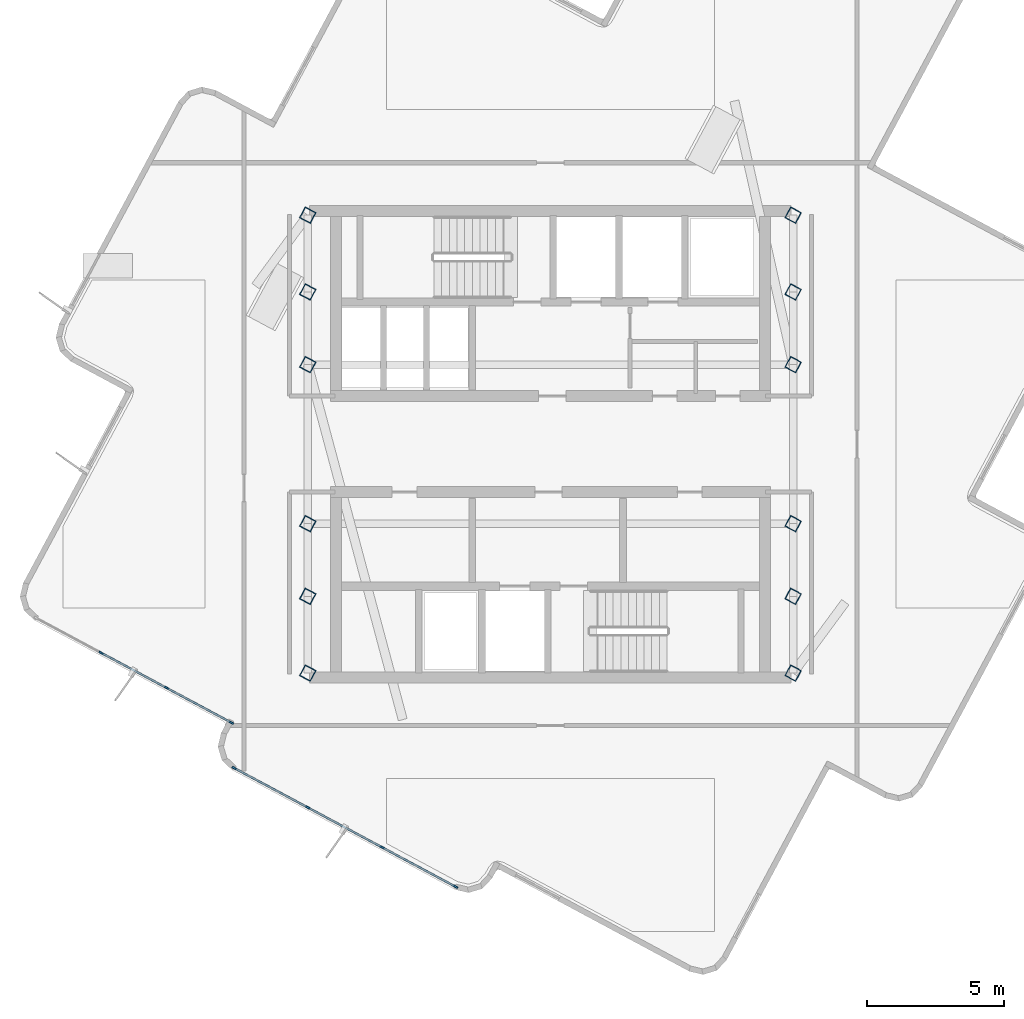
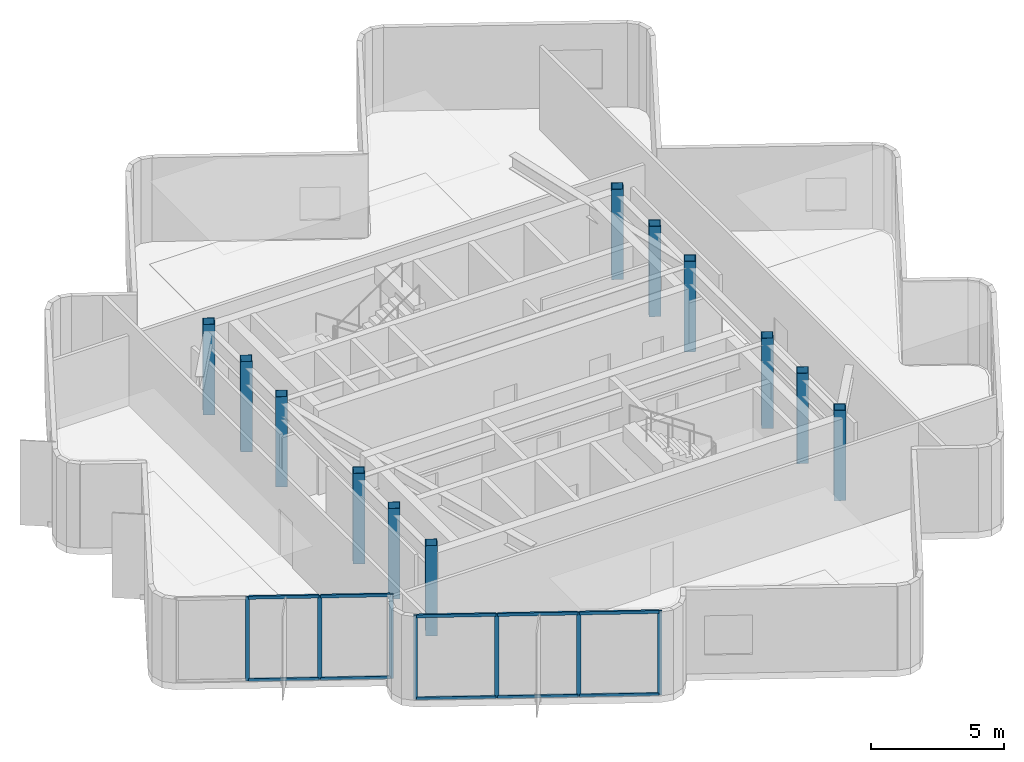
# One storey, part 1 of 9: 17 members, 12 columns, 2 elements without a shape of their own.
"""IFC4 building model written with IfcOpenShell, lengths in metres."""

from ifc_helpers import new_model, si_unit, direction, frame, origin, origin_2d, place, context, subcontext, project, spatial, rectangle, hollow_rectangle, extrude, material, layer, layer_set, material_profile, profile_set, type_object, element, aggregate, save


model = new_model("IFC4")

# Units and contexts
model_context = context("Model", 3, precision=1e-05, world=origin(), true_north=direction((0.0, 1.0)))
body_context = subcontext(model_context, "Body", "Model", "MODEL_VIEW")
ifc_project = project(units=[si_unit("LENGTHUNIT", "METRE"), si_unit("AREAUNIT", "SQUARE_METRE"), si_unit("VOLUMEUNIT", "CUBIC_METRE"), si_unit("PLANEANGLEUNIT", "RADIAN"), si_unit("MASSUNIT", "GRAM", prefix="KILO")], contexts=[model_context])

# Site, building, storey
site_placement = place(None, origin())
site = spatial("IfcSite", under=ifc_project, at=site_placement, CompositionType="ELEMENT")
building_placement = place(site_placement, origin())
building = spatial("IfcBuilding", under=site, at=building_placement, Name="Solmarez Civic Tower", CompositionType="ELEMENT")
storey_placement = place(building_placement, frame((0.0, 0.0, 285.1201171875)))
storey = spatial("IfcBuildingStorey", under=building, at=storey_placement, Name="L77 Crown", CompositionType="ELEMENT", Elevation=285.1201171875)

# Columns
ifc_material_1 = material(Name="Steel S355", Category="steel")
ifc_material_profile_1 = material_profile(ifc_material_1, hollow_rectangle(XDim=0.449951171875, YDim=0.449951171875, WallThickness=0.02197265625, at=origin_2d()), Name="HSS450X450X22")
ifc_profile_set_1 = profile_set([ifc_material_profile_1], Name="Steel S355")
column_type = type_object("IfcColumnType", Name="COL-HSS450", PredefinedType="COLUMN", material=ifc_profile_set_1)
for number, where, z_axis, x_axis, name in (
    (1, (-8.85009765625, -5.550048828125, 0.0), (0.0, 0.0, 1.0), (0.472550764869, 0.881303452065, 0.0), "L77 Crown Structural Column HC1"),
    (2, (-8.85009765625, -2.89990234375, 0.0), (0.0, 0.0, 1.0), (0.472550764869, 0.881303452065, 0.0), "L77 Crown Structural Column HC2"),
    (3, (-8.85009765625, 2.89990234375, 0.0), (0.0, 0.0, 1.0), (0.472550764869, 0.881303452065, 0.0), "L77 Crown Structural Column HC3"),
    (4, (-8.85009765625, 5.550048828125, 0.0), (0.0, 0.0, 1.0), (0.472550764869, 0.881303452065, 0.0), "L77 Crown Structural Column HC4"),
    (5, (8.85009765625, -5.550048828125, 0.0), (0.0, 0.0, 1.0), (0.472550764869, 0.881303452065, 0.0), "L77 Crown Structural Column HC5"),
    (6, (8.85009765625, -2.89990234375, 0.0), (0.0, 0.0, 1.0), (0.472550764869, 0.881303452065, 0.0), "L77 Crown Structural Column HC6"),
    (7, (8.85009765625, 2.89990234375, 0.0), (0.0, 0.0, 1.0), (0.472550764869, 0.881303452065, 0.0), "L77 Crown Structural Column HC7"),
    (8, (8.85009765625, 5.550048828125, 0.0), (0.0, 0.0, 1.0), (0.472550764869, 0.881303452065, 0.0), "L77 Crown Structural Column HC8"),
    (9, (-8.85009765625, 8.35009765625, 0.0), (0.0, 0.0, 1.0), (0.472550764869, 0.881303452065, 0.0), "L77 Crown Structural Column HC9"),
    (10, (8.85009765625, -8.35009765625, 0.0), (0.0, 0.0, 1.0), (0.472550764869, 0.881303452065, 0.0), "L77 Crown Structural Column HC10"),
    (11, (8.85009765625, 8.35009765625, 0.0), (0.0, 0.0, 1.0), (0.472550764869, 0.881303452065, 0.0), "L77 Crown Structural Column HC11"),
    (12, (-8.85009765625, -8.35009765625, 0.0), (0.0, 0.0, 1.0), (0.472550764869, 0.881303452065, 0.0), "L77 Crown Structural Column HC12"),
):
    element("IfcColumn", number, at=place(storey_placement, frame(where, z_axis=z_axis, x_axis=x_axis)), inside=storey, type_object=column_type, Name=name, PredefinedType="COLUMN", context=body_context, shape_type="SweptSolid", body=[
        extrude(hollow_rectangle(XDim=0.449951171875, YDim=0.449951171875, WallThickness=0.02197265625, at=origin_2d()), origin(), (0.0, 0.0, 1.0), 4.139892578125),
    ])

# Curtain wall, members
ifc_material_2 = material(Name="Bronze Anodised Aluminium EN AW-6063 T6", Category="aluminium")
ifc_layer = layer(ifc_material_2, 0.195068359375)
ifc_layer_set = layer_set([ifc_layer], Name="Bronze Anodised Aluminium EN AW-6063 T6")
curtain_wall_type = type_object("IfcCurtainWallType", Name="CW-SYS-7", PredefinedType="NOTDEFINED", material=ifc_layer_set)
curtain_wall_1_placement = place(storey_placement, origin())
curtain_wall_1 = element("IfcCurtainWall", 13, at=curtain_wall_1_placement, inside=storey, type_object=curtain_wall_type, Name="L77 Crown Stick-Built Curtain Wall 1", PredefinedType="NOTDEFINED")
ifc_material_profile_2 = material_profile(ifc_material_2, rectangle(XDim=0.06494140625, YDim=0.1650390625, at=origin_2d()), Name="CWM-65X165")
ifc_profile_set_2 = profile_set([ifc_material_profile_2], Name="Bronze Anodised Aluminium EN AW-6063 T6")
member_type_1 = type_object("IfcMemberType", Name="CWM-TYPE-3", PredefinedType="MULLION", material=ifc_profile_set_2)
member_1_placement = place(storey_placement, frame((-3.45458984375, -16.1435546875, 0.0), z_axis=(0.0, 0.0, 1.0), x_axis=(-0.472548988272, -0.881304404665, 0.0)))
member_1 = element("IfcMember", 14, at=member_1_placement, type_object=member_type_1, Name="CWS7 mullion 1", PredefinedType="MULLION", context=body_context, shape_type="SweptSolid", body=[
    extrude(rectangle(XDim=0.06494140625, YDim=0.1650390625, at=origin_2d()), origin(), (0.0, 0.0, 1.0), 3.83984375),
])
member_2_placement = place(storey_placement, frame((-6.138427734375, -14.70458984375, 0.0), z_axis=(0.0, 0.0, 1.0), x_axis=(-0.472548988272, -0.881304404665, 0.0)))
member_2 = element("IfcMember", 15, at=member_2_placement, type_object=member_type_1, Name="CWS7 mullion 2", PredefinedType="MULLION", context=body_context, shape_type="SweptSolid", body=[
    extrude(rectangle(XDim=0.06494140625, YDim=0.1650390625, at=origin_2d()), origin(), (0.0, 0.0, 1.0), 3.83984375),
])
member_3_placement = place(storey_placement, frame((-8.8505859375, -13.250244140625, 0.0), z_axis=(0.0, 0.0, 1.0), x_axis=(-0.472548988272, -0.881304404665, 0.0)))
member_3 = element("IfcMember", 16, at=member_3_placement, type_object=member_type_1, Name="CWS7 mullion 3", PredefinedType="MULLION", context=body_context, shape_type="SweptSolid", body=[
    extrude(rectangle(XDim=0.06494140625, YDim=0.1650390625, at=origin_2d()), origin(), (0.0, 0.0, 1.0), 3.83984375),
])
member_4_placement = place(storey_placement, frame((-11.534423828125, -11.811279296875, 0.0), z_axis=(0.0, 0.0, 1.0), x_axis=(-0.472548988272, -0.881304404665, 0.0)))
member_4 = element("IfcMember", 17, at=member_4_placement, type_object=member_type_1, Name="CWS7 mullion 4", PredefinedType="MULLION", context=body_context, shape_type="SweptSolid", body=[
    extrude(rectangle(XDim=0.06494140625, YDim=0.1650390625, at=origin_2d()), origin(), (0.0, 0.0, 1.0), 3.83984375),
])

curtain_wall_2_placement = place(storey_placement, origin())
curtain_wall_2 = element("IfcCurtainWall", 18, at=curtain_wall_2_placement, inside=storey, type_object=curtain_wall_type, Name="L77 Crown Stick-Built Curtain Wall 2", PredefinedType="NOTDEFINED")
member_5_placement = place(storey_placement, frame((-11.63671875, -10.15576171875, 0.0), z_axis=(0.0, 0.0, 1.0), x_axis=(-0.472494197828, -0.881333780709, 0.0)))
member_5 = element("IfcMember", 19, at=member_5_placement, type_object=member_type_1, Name="CWS7 mullion 1", PredefinedType="MULLION", context=body_context, shape_type="SweptSolid", body=[
    extrude(rectangle(XDim=0.06494140625, YDim=0.1650390625, at=origin_2d()), origin(), (0.0, 0.0, 1.0), 3.83984375),
])
member_6_placement = place(storey_placement, frame((-13.998779296875, -8.889404296875, 0.0), z_axis=(0.0, 0.0, 1.0), x_axis=(-0.472494197828, -0.881333780709, 0.0)))
member_6 = element("IfcMember", 20, at=member_6_placement, type_object=member_type_1, Name="CWS7 mullion 2", PredefinedType="MULLION", context=body_context, shape_type="SweptSolid", body=[
    extrude(rectangle(XDim=0.06494140625, YDim=0.1650390625, at=origin_2d()), origin(), (0.0, 0.0, 1.0), 3.83984375),
])
member_7_placement = place(storey_placement, frame((-16.389404296875, -7.607666015625, 0.0), z_axis=(0.0, 0.0, 1.0), x_axis=(-0.472494197828, -0.881333780709, 0.0)))
member_7 = element("IfcMember", 21, at=member_7_placement, type_object=member_type_1, Name="CWS7 mullion 3", PredefinedType="MULLION", context=body_context, shape_type="SweptSolid", body=[
    extrude(rectangle(XDim=0.06494140625, YDim=0.1650390625, at=origin_2d()), origin(), (0.0, 0.0, 1.0), 3.83984375),
])

# Member
ifc_material_profile_3 = material_profile(ifc_material_2, rectangle(XDim=0.070068359375, YDim=0.139892578125, at=origin_2d()), Name="CWT-70X140")
ifc_profile_set_3 = profile_set([ifc_material_profile_3], Name="Bronze Anodised Aluminium EN AW-6063 T6")
member_type_2 = type_object("IfcMemberType", Name="CWT-TYPE-1", PredefinedType="USERDEFINED", material=ifc_profile_set_3)
member_8_placement = place(storey_placement, frame((-3.4833984375, -16.128173828125, 0.034912109375), z_axis=(-0.881298429359, 0.472560132057, 0.0), x_axis=(-0.472560132057, -0.881298429359, 0.0)))
member_8 = element("IfcMember", 22, at=member_8_placement, type_object=member_type_2, Name="CWS7 transom 1.1", ObjectType="TRANSOM", PredefinedType="USERDEFINED", context=body_context, shape_type="SweptSolid", body=[
    extrude(rectangle(XDim=0.070068359375, YDim=0.139892578125, at=origin_2d()), origin(), (0.0, 0.0, 1.0), 2.97998046875),
])

member_9_placement = place(storey_placement, frame((-3.4833984375, -16.128173828125, 3.804931640625), z_axis=(-0.881298429359, 0.472560132057, 0.0), x_axis=(-0.472560132057, -0.881298429359, 0.0)))
member_9 = element("IfcMember", 23, at=member_9_placement, type_object=member_type_2, Name="CWS7 transom 1.2", ObjectType="TRANSOM", PredefinedType="USERDEFINED", context=body_context, shape_type="SweptSolid", body=[
    extrude(rectangle(XDim=0.070068359375, YDim=0.139892578125, at=origin_2d()), origin(), (0.0, 0.0, 1.0), 2.97998046875),
])

member_10_placement = place(storey_placement, frame((-6.1669921875, -14.689208984375, 0.034912109375), z_axis=(-0.881307631552, 0.472542970076, 0.0), x_axis=(-0.472542970076, -0.881307631552, 0.0)))
member_10 = element("IfcMember", 24, at=member_10_placement, type_object=member_type_2, Name="CWS7 transom 2.1", ObjectType="TRANSOM", PredefinedType="USERDEFINED", context=body_context, shape_type="SweptSolid", body=[
    extrude(rectangle(XDim=0.070068359375, YDim=0.139892578125, at=origin_2d()), origin(), (0.0, 0.0, 1.0), 3.0126953125),
])

member_11_placement = place(storey_placement, frame((-6.1669921875, -14.689208984375, 3.804931640625), z_axis=(-0.881307631552, 0.472542970076, 0.0), x_axis=(-0.472542970076, -0.881307631552, 0.0)))
member_11 = element("IfcMember", 25, at=member_11_placement, type_object=member_type_2, Name="CWS7 transom 2.2", ObjectType="TRANSOM", PredefinedType="USERDEFINED", context=body_context, shape_type="SweptSolid", body=[
    extrude(rectangle(XDim=0.070068359375, YDim=0.139892578125, at=origin_2d()), origin(), (0.0, 0.0, 1.0), 3.0126953125),
])

member_12_placement = place(storey_placement, frame((-8.87939453125, -13.23486328125, 0.034912109375), z_axis=(-0.881298429359, 0.472560132057, 0.0), x_axis=(-0.472560132057, -0.881298429359, 0.0)))
member_12 = element("IfcMember", 26, at=member_12_placement, type_object=member_type_2, Name="CWS7 transom 3.1", ObjectType="TRANSOM", PredefinedType="USERDEFINED", context=body_context, shape_type="SweptSolid", body=[
    extrude(rectangle(XDim=0.070068359375, YDim=0.139892578125, at=origin_2d()), origin(), (0.0, 0.0, 1.0), 2.97998046875),
])

member_13_placement = place(storey_placement, frame((-8.87939453125, -13.23486328125, 3.804931640625), z_axis=(-0.881298429359, 0.472560132057, 0.0), x_axis=(-0.472560132057, -0.881298429359, 0.0)))
member_13 = element("IfcMember", 27, at=member_13_placement, type_object=member_type_2, Name="CWS7 transom 3.2", ObjectType="TRANSOM", PredefinedType="USERDEFINED", context=body_context, shape_type="SweptSolid", body=[
    extrude(rectangle(XDim=0.070068359375, YDim=0.139892578125, at=origin_2d()), origin(), (0.0, 0.0, 1.0), 2.97998046875),
])

aggregate(curtain_wall_1, [member_1, member_2, member_3, member_4, member_8, member_9, member_10, member_11, member_12, member_13])

member_14_placement = place(storey_placement, frame((-11.665283203125, -10.140380859375, 0.034912109375), z_axis=(-0.881330029489, 0.472501194835, 0.0), x_axis=(-0.472501194835, -0.881330029489, 0.0)))
member_14 = element("IfcMember", 28, at=member_14_placement, type_object=member_type_2, Name="CWS7 transom 1.1", ObjectType="TRANSOM", PredefinedType="USERDEFINED", context=body_context, shape_type="SweptSolid", body=[
    extrude(rectangle(XDim=0.070068359375, YDim=0.139892578125, at=origin_2d()), origin(), (0.0, 0.0, 1.0), 2.614990234375),
])

member_15_placement = place(storey_placement, frame((-11.665283203125, -10.140380859375, 3.804931640625), z_axis=(-0.881330029489, 0.472501194835, 0.0), x_axis=(-0.472501194835, -0.881330029489, 0.0)))
member_15 = element("IfcMember", 29, at=member_15_placement, type_object=member_type_2, Name="CWS7 transom 1.2", ObjectType="TRANSOM", PredefinedType="USERDEFINED", context=body_context, shape_type="SweptSolid", body=[
    extrude(rectangle(XDim=0.070068359375, YDim=0.139892578125, at=origin_2d()), origin(), (0.0, 0.0, 1.0), 2.614990234375),
])

member_16_placement = place(storey_placement, frame((-14.02734375, -8.8740234375, 0.034912109375), z_axis=(-0.881319521619, 0.472520794054, 0.0), x_axis=(-0.472520794054, -0.881319521619, 0.0)))
member_16 = element("IfcMember", 30, at=member_16_placement, type_object=member_type_2, Name="CWS7 transom 2.1", ObjectType="TRANSOM", PredefinedType="USERDEFINED", context=body_context, shape_type="SweptSolid", body=[
    extrude(rectangle(XDim=0.070068359375, YDim=0.139892578125, at=origin_2d()), origin(), (0.0, 0.0, 1.0), 2.6474609375),
])

member_17_placement = place(storey_placement, frame((-14.02734375, -8.8740234375, 3.804931640625), z_axis=(-0.881319521619, 0.472520794054, 0.0), x_axis=(-0.472520794054, -0.881319521619, 0.0)))
member_17 = element("IfcMember", 31, at=member_17_placement, type_object=member_type_2, Name="CWS7 transom 2.2", ObjectType="TRANSOM", PredefinedType="USERDEFINED", context=body_context, shape_type="SweptSolid", body=[
    extrude(rectangle(XDim=0.070068359375, YDim=0.139892578125, at=origin_2d()), origin(), (0.0, 0.0, 1.0), 2.6474609375),
])

aggregate(curtain_wall_2, [member_5, member_6, member_7, member_14, member_15, member_16, member_17])

save(model, "model.ifc")
